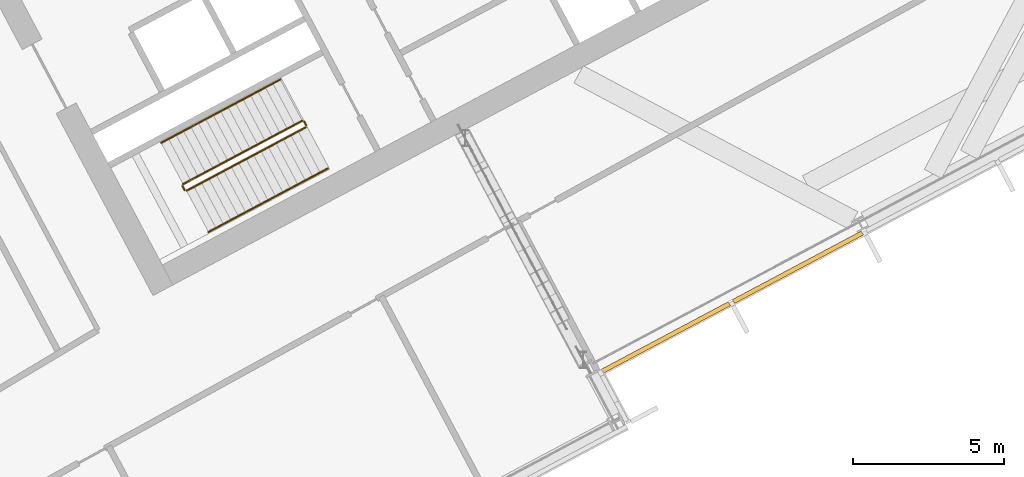
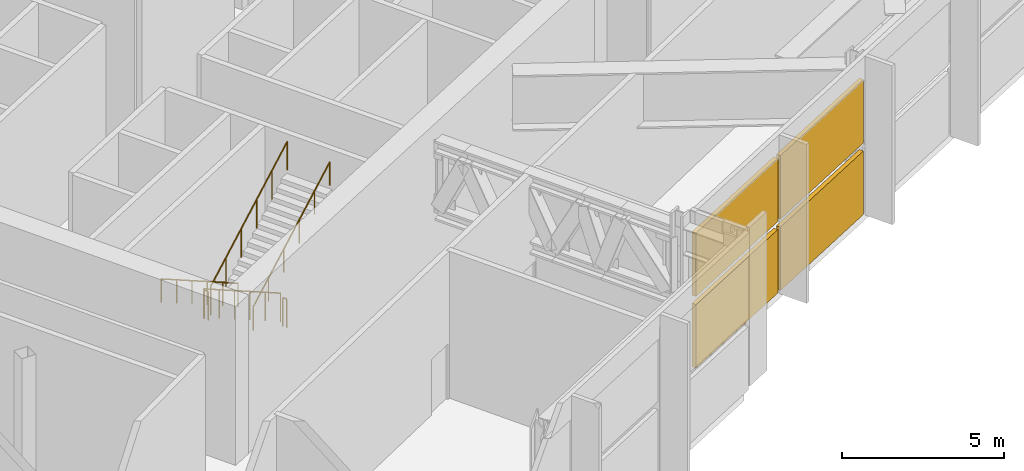
# One storey, part 29 of 33: 6 railings, 4 shading devices, 1 element without a shape of its own.
"""IFC4 building model written with IfcOpenShell, lengths in metres."""

from ifc_helpers import new_model, si_unit, direction, frame, origin, origin_2d, place, context, subcontext, project, spatial, polyline, rectangle, outline, extrude, material, layer, layer_set, type_object, element, aggregate, save


model = new_model("IFC4")

# Units and contexts
model_context = context("Model", 3, precision=1e-05, world=origin(), true_north=direction((0.0, 1.0)))
body_context = subcontext(model_context, "Body", "Model", "MODEL_VIEW")
ifc_project = project(units=[si_unit("LENGTHUNIT", "METRE"), si_unit("AREAUNIT", "SQUARE_METRE"), si_unit("VOLUMEUNIT", "CUBIC_METRE"), si_unit("PLANEANGLEUNIT", "RADIAN"), si_unit("MASSUNIT", "GRAM", prefix="KILO")], contexts=[model_context])

# Site, building, storey
site_placement = place(None, origin())
site = spatial("IfcSite", under=ifc_project, at=site_placement, CompositionType="ELEMENT")
building_placement = place(site_placement, origin())
building = spatial("IfcBuilding", under=site, at=building_placement, Name="Cormorant Relay Tower", CompositionType="ELEMENT")
storey_placement = place(building_placement, frame((0.0, 0.0, 183.60009765625)))
storey = spatial("IfcBuildingStorey", under=building, at=storey_placement, Name="L39", CompositionType="ELEMENT", Elevation=183.60009765625)

# Curtain wall, shading devices
ifc_material_1 = material(Name="Aluminium 6063-T6 anodised bronze", Category="aluminium")
ifc_layer = layer(ifc_material_1, 0.199951171875)
ifc_layer_set = layer_set([ifc_layer], Name="CW4 band louvre wall")
curtain_wall_type = type_object("IfcCurtainWallType", Name="CW4 band louvre wall", PredefinedType="NOTDEFINED", material=ifc_layer_set)
curtain_wall_placement = place(storey_placement, origin())
curtain_wall = element("IfcCurtainWall", 1, at=curtain_wall_placement, inside=storey, type_object=curtain_wall_type, Name="CW4 curtain wall 4", PredefinedType="NOTDEFINED")
ifc_material_2 = material(Name="Aluminium 6063-T6 anodised bronze louvre", Category="aluminium")
shading_device_type = type_object("IfcShadingDeviceType", Name="CW4 bronze louvre bank 150 x 2400", PredefinedType="USERDEFINED", material=ifc_material_2)
shading_device_1_placement = place(storey_placement, frame((35.918212890625, -2.505615234375, 2.699951171875), z_axis=(0.0, 0.0, 1.0), x_axis=(0.882947592859, 0.469471562786, 0.0)))
shading_device_1 = element("IfcShadingDevice", 2, at=shading_device_1_placement, type_object=shading_device_type, Name="CW4 louvre bank U4.1", ObjectType="LOUVRE", PredefinedType="USERDEFINED", context=body_context, shape_type="SweptSolid", body=[
    extrude(rectangle(XDim=4.77490234375, YDim=0.14990234375, at=origin_2d()), origin(), (0.0, 0.0, 1.0), 2.39990234375),
])
shading_device_2_placement = place(storey_placement, frame((35.918212890625, -2.505615234375, 0.0), z_axis=(0.0, 0.0, 1.0), x_axis=(0.882947592859, 0.469471562786, 0.0)))
shading_device_2 = element("IfcShadingDevice", 3, at=shading_device_2_placement, type_object=shading_device_type, Name="CW4 louvre bank D4.1", ObjectType="LOUVRE", PredefinedType="USERDEFINED", context=body_context, shape_type="SweptSolid", body=[
    extrude(rectangle(XDim=4.77490234375, YDim=0.14990234375, at=origin_2d()), origin(), (0.0, 0.0, 1.0), 2.39990234375),
])
shading_device_3_placement = place(storey_placement, frame((40.2998046875, -0.176025390625, 2.699951171875), z_axis=(0.0, 0.0, 1.0), x_axis=(0.882947592859, 0.469471562786, 0.0)))
shading_device_3 = element("IfcShadingDevice", 4, at=shading_device_3_placement, type_object=shading_device_type, Name="CW4 louvre bank U4.2", ObjectType="LOUVRE", PredefinedType="USERDEFINED", context=body_context, shape_type="SweptSolid", body=[
    extrude(rectangle(XDim=4.85009765625, YDim=0.14990234375, at=origin_2d()), origin(), (0.0, 0.0, 1.0), 2.39990234375),
])
shading_device_4_placement = place(storey_placement, frame((40.2998046875, -0.176025390625, 0.0), z_axis=(0.0, 0.0, 1.0), x_axis=(0.882947592859, 0.469471562786, 0.0)))
shading_device_4 = element("IfcShadingDevice", 5, at=shading_device_4_placement, type_object=shading_device_type, Name="CW4 louvre bank D4.2", ObjectType="LOUVRE", PredefinedType="USERDEFINED", context=body_context, shape_type="SweptSolid", body=[
    extrude(rectangle(XDim=4.85009765625, YDim=0.14990234375, at=origin_2d()), origin(), (0.0, 0.0, 1.0), 2.39990234375),
])
aggregate(curtain_wall, [shading_device_1, shading_device_2, shading_device_3, shading_device_4])

# Railings
ifc_material_3 = material(Name="Steel ASTM A572 Grade 50 (Fy 345 MPa)", Category="steel")
railing_type_1 = type_object("IfcRailingType", Name="Stair guard 1100", PredefinedType="GUARDRAIL", material=ifc_material_3)
railing_1_placement = place(storey_placement, frame((23.83837890625, 4.6904296875, 0.17626953125)))
element("IfcRailing", 6, at=railing_1_placement, inside=storey, type_object=railing_type_1, Name="L39 B1 stair guard 1", PredefinedType="GUARDRAIL", context=body_context, shape_type="SweptSolid", body=[
    extrude(outline(polyline([(0.022216796875, 0.00927734375), (0.00927734375, 0.022216796875), (-0.00927734375, 0.022216796875), (-0.022216796875, 0.00927734375), (-0.022216796875, -0.00927734375), (-0.00927734375, -0.022216796875), (0.00927734375, -0.022216796875), (0.022216796875, -0.00927734375), (0.022216796875, 0.00927734375)])), frame((0.0, 0.0, 1.076171875), z_axis=(-0.746948989206, -0.397171061721, 0.533218862434), x_axis=(0.469481920044, -0.882942085729, 0.0)), (0.0, 0.0, 1.0), 5.295654296875),
    extrude(outline(polyline([(0.019287109375, 0.008056640625), (0.008056640625, 0.019287109375), (-0.008056640625, 0.019287109375), (-0.019287109375, 0.008056640625), (-0.019287109375, -0.008056640625), (-0.008056640625, -0.019287109375), (0.008056640625, -0.019287109375), (0.019287109375, -0.008056640625), (0.019287109375, 0.008056640625)])), origin(), (0.0, 0.0, 1.0), 1.052001953125),
    extrude(outline(polyline([(0.019287109375, 0.008056640625), (0.008056640625, 0.019287109375), (-0.008056640625, 0.019287109375), (-0.019287109375, 0.008056640625), (-0.019287109375, -0.008056640625), (-0.008056640625, -0.019287109375), (0.008056640625, -0.019287109375), (0.019287109375, -0.008056640625), (0.019287109375, 0.008056640625)])), frame((-0.791015625, -0.420654296875, 0.564697265625)), (0.0, 0.0, 1.0), 1.052001953125),
    extrude(outline(polyline([(0.019287109375, 0.008056640625), (0.008056640625, 0.019287109375), (-0.008056640625, 0.019287109375), (-0.019287109375, 0.008056640625), (-0.019287109375, -0.008056640625), (-0.008056640625, -0.019287109375), (0.008056640625, -0.019287109375), (0.019287109375, -0.008056640625), (0.019287109375, 0.008056640625)])), frame((-1.582275390625, -0.84130859375, 1.12939453125)), (0.0, 0.0, 1.0), 1.052001953125),
    extrude(outline(polyline([(0.019287109375, 0.008056640625), (0.008056640625, 0.019287109375), (-0.008056640625, 0.019287109375), (-0.019287109375, 0.008056640625), (-0.019287109375, -0.008056640625), (-0.008056640625, -0.019287109375), (0.008056640625, -0.019287109375), (0.019287109375, -0.008056640625), (0.019287109375, 0.008056640625)])), frame((-2.373291015625, -1.261962890625, 1.6943359375)), (0.0, 0.0, 1.0), 1.052001953125),
    extrude(outline(polyline([(0.019287109375, 0.008056640625), (0.008056640625, 0.019287109375), (-0.008056640625, 0.019287109375), (-0.019287109375, 0.008056640625), (-0.019287109375, -0.008056640625), (-0.008056640625, -0.019287109375), (0.008056640625, -0.019287109375), (0.019287109375, -0.008056640625), (0.019287109375, 0.008056640625)])), frame((-3.16455078125, -1.6826171875, 2.259033203125)), (0.0, 0.0, 1.0), 1.052001953125),
    extrude(outline(polyline([(0.019287109375, 0.008056640625), (0.008056640625, 0.019287109375), (-0.008056640625, 0.019287109375), (-0.019287109375, 0.008056640625), (-0.019287109375, -0.008056640625), (-0.008056640625, -0.019287109375), (0.008056640625, -0.019287109375), (0.019287109375, -0.008056640625), (0.019287109375, 0.008056640625)])), frame((-3.95556640625, -2.103271484375, 2.82373046875)), (0.0, 0.0, 1.0), 1.052001953125),
])
railing_2_placement = place(storey_placement, frame((19.862060546875, 2.51953125, 3.0)))
element("IfcRailing", 7, at=railing_2_placement, inside=storey, type_object=railing_type_1, Name="L39 B1 stair guard 2", PredefinedType="GUARDRAIL", context=body_context, shape_type="SweptSolid", body=[
    extrude(outline(polyline([(0.022216796875, 0.00927734375), (0.00927734375, 0.022216796875), (-0.00927734375, 0.022216796875), (-0.022216796875, 0.00927734375), (-0.022216796875, -0.00927734375), (-0.00927734375, -0.022216796875), (0.00927734375, -0.022216796875), (0.022216796875, -0.00927734375), (0.022216796875, 0.00927734375)])), frame((0.0, 0.0, 1.076171875), z_axis=(0.469234640946, -0.883073525669, 0.0), x_axis=(0.883073525669, 0.469234640946, 0.0)), (0.0, 0.0, 1.0), 0.14990234375),
    extrude(outline(polyline([(0.019287109375, 0.008056640625), (0.008056640625, 0.019287109375), (-0.008056640625, 0.019287109375), (-0.019287109375, 0.008056640625), (-0.019287109375, -0.008056640625), (-0.008056640625, -0.019287109375), (0.008056640625, -0.019287109375), (0.019287109375, -0.008056640625), (0.019287109375, 0.008056640625)])), origin(), (0.0, 0.0, 1.0), 1.052001953125),
    extrude(outline(polyline([(0.019287109375, 0.008056640625), (0.008056640625, 0.019287109375), (-0.008056640625, 0.019287109375), (-0.019287109375, 0.008056640625), (-0.019287109375, -0.008056640625), (-0.008056640625, -0.019287109375), (0.008056640625, -0.019287109375), (0.019287109375, -0.008056640625), (0.019287109375, 0.008056640625)])), frame((0.0703125, -0.13232421875, 0.0)), (0.0, 0.0, 1.0), 1.052001953125),
])
railing_3_placement = place(storey_placement, frame((20.0, 2.366455078125, 3.17626953125)))
element("IfcRailing", 8, at=railing_3_placement, inside=storey, type_object=railing_type_1, Name="L39 B1 stair guard 3", PredefinedType="GUARDRAIL", context=body_context, shape_type="SweptSolid", body=[
    extrude(outline(polyline([(0.022216796875, 0.00927734375), (0.00927734375, 0.022216796875), (-0.00927734375, 0.022216796875), (-0.022216796875, 0.00927734375), (-0.022216796875, -0.00927734375), (-0.00927734375, -0.022216796875), (0.00927734375, -0.022216796875), (0.022216796875, -0.00927734375), (0.022216796875, 0.00927734375)])), frame((0.0, 0.0, 1.076171875), z_axis=(0.746948989206, 0.397171061721, 0.533218862434), x_axis=(-0.469481920044, 0.882942085729, 0.0)), (0.0, 0.0, 1.0), 5.295654296875),
    extrude(outline(polyline([(0.019287109375, 0.008056640625), (0.008056640625, 0.019287109375), (-0.008056640625, 0.019287109375), (-0.019287109375, 0.008056640625), (-0.019287109375, -0.008056640625), (-0.008056640625, -0.019287109375), (0.008056640625, -0.019287109375), (0.019287109375, -0.008056640625), (0.019287109375, 0.008056640625)])), origin(), (0.0, 0.0, 1.0), 1.052001953125),
    extrude(outline(polyline([(0.019287109375, 0.008056640625), (0.008056640625, 0.019287109375), (-0.008056640625, 0.019287109375), (-0.019287109375, 0.008056640625), (-0.019287109375, -0.008056640625), (-0.008056640625, -0.019287109375), (0.008056640625, -0.019287109375), (0.019287109375, -0.008056640625), (0.019287109375, 0.008056640625)])), frame((0.791015625, 0.420654296875, 0.564697265625)), (0.0, 0.0, 1.0), 1.052001953125),
    extrude(outline(polyline([(0.019287109375, 0.008056640625), (0.008056640625, 0.019287109375), (-0.008056640625, 0.019287109375), (-0.019287109375, 0.008056640625), (-0.019287109375, -0.008056640625), (-0.008056640625, -0.019287109375), (0.008056640625, -0.019287109375), (0.019287109375, -0.008056640625), (0.019287109375, 0.008056640625)])), frame((1.582275390625, 0.84130859375, 1.12939453125)), (0.0, 0.0, 1.0), 1.052001953125),
    extrude(outline(polyline([(0.019287109375, 0.008056640625), (0.008056640625, 0.019287109375), (-0.008056640625, 0.019287109375), (-0.019287109375, 0.008056640625), (-0.019287109375, -0.008056640625), (-0.008056640625, -0.019287109375), (0.008056640625, -0.019287109375), (0.019287109375, -0.008056640625), (0.019287109375, 0.008056640625)])), frame((2.373291015625, 1.261962890625, 1.6943359375)), (0.0, 0.0, 1.0), 1.052001953125),
    extrude(outline(polyline([(0.019287109375, 0.008056640625), (0.008056640625, 0.019287109375), (-0.008056640625, 0.019287109375), (-0.019287109375, 0.008056640625), (-0.019287109375, -0.008056640625), (-0.008056640625, -0.019287109375), (0.008056640625, -0.019287109375), (0.019287109375, -0.008056640625), (0.019287109375, 0.008056640625)])), frame((3.16455078125, 1.6826171875, 2.259033203125)), (0.0, 0.0, 1.0), 1.052001953125),
    extrude(outline(polyline([(0.019287109375, 0.008056640625), (0.008056640625, 0.019287109375), (-0.008056640625, 0.019287109375), (-0.019287109375, 0.008056640625), (-0.019287109375, -0.008056640625), (-0.008056640625, -0.019287109375), (0.008056640625, -0.019287109375), (0.019287109375, -0.008056640625), (0.019287109375, 0.008056640625)])), frame((3.95556640625, 2.103271484375, 2.82373046875)), (0.0, 0.0, 1.0), 1.052001953125),
])
railing_4_placement = place(storey_placement, frame((23.906005859375, 4.669677734375, 0.0)))
element("IfcRailing", 9, at=railing_4_placement, inside=storey, type_object=railing_type_1, Name="L39 B1 stair guard 4", PredefinedType="GUARDRAIL", context=body_context, shape_type="SweptSolid", body=[
    extrude(outline(polyline([(0.022216796875, 0.00927734375), (0.00927734375, 0.022216796875), (-0.00927734375, 0.022216796875), (-0.022216796875, 0.00927734375), (-0.022216796875, -0.00927734375), (-0.00927734375, -0.022216796875), (0.00927734375, -0.022216796875), (0.022216796875, -0.00927734375), (0.022216796875, 0.00927734375)])), frame((0.0, 0.0, 1.076171875), z_axis=(0.469234640946, -0.883073525669, 0.0), x_axis=(0.883073525669, 0.469234640946, 0.0)), (0.0, 0.0, 1.0), 0.14990234375),
    extrude(outline(polyline([(0.019287109375, 0.008056640625), (0.008056640625, 0.019287109375), (-0.008056640625, 0.019287109375), (-0.019287109375, 0.008056640625), (-0.019287109375, -0.008056640625), (-0.008056640625, -0.019287109375), (0.008056640625, -0.019287109375), (0.019287109375, -0.008056640625), (0.019287109375, 0.008056640625)])), origin(), (0.0, 0.0, 1.0), 1.052001953125),
    extrude(outline(polyline([(0.019287109375, 0.008056640625), (0.008056640625, 0.019287109375), (-0.008056640625, 0.019287109375), (-0.019287109375, 0.008056640625), (-0.019287109375, -0.008056640625), (-0.008056640625, -0.019287109375), (0.008056640625, -0.019287109375), (0.019287109375, -0.008056640625), (0.019287109375, 0.008056640625)])), frame((0.0703125, -0.13232421875, 0.0)), (0.0, 0.0, 1.0), 1.052001953125),
])
ifc_material_4 = material(Name="Steel ASTM A572 Grade 50 (Fy 345 MPa)", Category="steel")
railing_type_2 = type_object("IfcRailingType", Name="Stair handrail 900", PredefinedType="HANDRAIL", material=ifc_material_4)
railing_5_placement = place(storey_placement, frame((23.110595703125, 6.05908203125, 0.17626953125)))
element("IfcRailing", 10, at=railing_5_placement, inside=storey, type_object=railing_type_2, Name="L39 B1 stair handrail 1", PredefinedType="HANDRAIL", context=body_context, shape_type="SweptSolid", body=[
    extrude(outline(polyline([(0.022216796875, 0.00927734375), (0.00927734375, 0.022216796875), (-0.00927734375, 0.022216796875), (-0.022216796875, 0.00927734375), (-0.022216796875, -0.00927734375), (-0.00927734375, -0.022216796875), (0.00927734375, -0.022216796875), (0.022216796875, -0.00927734375), (0.022216796875, 0.00927734375)])), frame((0.0, 0.0, 0.8759765625), z_axis=(-0.746948989206, -0.397171061721, 0.533218862434), x_axis=(0.469481920044, -0.882942085729, 0.0)), (0.0, 0.0, 1.0), 5.295654296875),
    extrude(outline(polyline([(0.019287109375, 0.008056640625), (0.008056640625, 0.019287109375), (-0.008056640625, 0.019287109375), (-0.019287109375, 0.008056640625), (-0.019287109375, -0.008056640625), (-0.008056640625, -0.019287109375), (0.008056640625, -0.019287109375), (0.019287109375, -0.008056640625), (0.019287109375, 0.008056640625)])), origin(), (0.0, 0.0, 1.0), 0.851806640625),
    extrude(outline(polyline([(0.019287109375, 0.008056640625), (0.008056640625, 0.019287109375), (-0.008056640625, 0.019287109375), (-0.019287109375, 0.008056640625), (-0.019287109375, -0.008056640625), (-0.008056640625, -0.019287109375), (0.008056640625, -0.019287109375), (0.019287109375, -0.008056640625), (0.019287109375, 0.008056640625)])), frame((-0.791015625, -0.420654296875, 0.564697265625)), (0.0, 0.0, 1.0), 0.851806640625),
    extrude(outline(polyline([(0.019287109375, 0.008056640625), (0.008056640625, 0.019287109375), (-0.008056640625, 0.019287109375), (-0.019287109375, 0.008056640625), (-0.019287109375, -0.008056640625), (-0.008056640625, -0.019287109375), (0.008056640625, -0.019287109375), (0.019287109375, -0.008056640625), (0.019287109375, 0.008056640625)])), frame((-1.582275390625, -0.84130859375, 1.12939453125)), (0.0, 0.0, 1.0), 0.851806640625),
    extrude(outline(polyline([(0.019287109375, 0.008056640625), (0.008056640625, 0.019287109375), (-0.008056640625, 0.019287109375), (-0.019287109375, 0.008056640625), (-0.019287109375, -0.008056640625), (-0.008056640625, -0.019287109375), (0.008056640625, -0.019287109375), (0.019287109375, -0.008056640625), (0.019287109375, 0.008056640625)])), frame((-2.373291015625, -1.261962890625, 1.6943359375)), (0.0, 0.0, 1.0), 0.851806640625),
    extrude(outline(polyline([(0.019287109375, 0.008056640625), (0.008056640625, 0.019287109375), (-0.008056640625, 0.019287109375), (-0.019287109375, 0.008056640625), (-0.019287109375, -0.008056640625), (-0.008056640625, -0.019287109375), (0.008056640625, -0.019287109375), (0.019287109375, -0.008056640625), (0.019287109375, 0.008056640625)])), frame((-3.16455078125, -1.6826171875, 2.259033203125)), (0.0, 0.0, 1.0), 0.851806640625),
    extrude(outline(polyline([(0.019287109375, 0.008056640625), (0.008056640625, 0.019287109375), (-0.008056640625, 0.019287109375), (-0.019287109375, 0.008056640625), (-0.019287109375, -0.008056640625), (-0.008056640625, -0.019287109375), (0.008056640625, -0.019287109375), (0.019287109375, -0.008056640625), (0.019287109375, 0.008056640625)])), frame((-3.95556640625, -2.103271484375, 2.82373046875)), (0.0, 0.0, 1.0), 0.851806640625),
])
railing_6_placement = place(storey_placement, frame((20.727783203125, 0.997802734375, 3.17626953125)))
element("IfcRailing", 11, at=railing_6_placement, inside=storey, type_object=railing_type_2, Name="L39 B1 stair handrail 2", PredefinedType="HANDRAIL", context=body_context, shape_type="SweptSolid", body=[
    extrude(outline(polyline([(0.022216796875, 0.00927734375), (0.00927734375, 0.022216796875), (-0.00927734375, 0.022216796875), (-0.022216796875, 0.00927734375), (-0.022216796875, -0.00927734375), (-0.00927734375, -0.022216796875), (0.00927734375, -0.022216796875), (0.022216796875, -0.00927734375), (0.022216796875, 0.00927734375)])), frame((0.0, 0.0, 0.8759765625), z_axis=(0.746948989206, 0.397171061721, 0.533218862434), x_axis=(-0.469481920044, 0.882942085729, 0.0)), (0.0, 0.0, 1.0), 5.295654296875),
    extrude(outline(polyline([(0.019287109375, 0.008056640625), (0.008056640625, 0.019287109375), (-0.008056640625, 0.019287109375), (-0.019287109375, 0.008056640625), (-0.019287109375, -0.008056640625), (-0.008056640625, -0.019287109375), (0.008056640625, -0.019287109375), (0.019287109375, -0.008056640625), (0.019287109375, 0.008056640625)])), origin(), (0.0, 0.0, 1.0), 0.851806640625),
    extrude(outline(polyline([(0.019287109375, 0.008056640625), (0.008056640625, 0.019287109375), (-0.008056640625, 0.019287109375), (-0.019287109375, 0.008056640625), (-0.019287109375, -0.008056640625), (-0.008056640625, -0.019287109375), (0.008056640625, -0.019287109375), (0.019287109375, -0.008056640625), (0.019287109375, 0.008056640625)])), frame((0.791015625, 0.420654296875, 0.564697265625)), (0.0, 0.0, 1.0), 0.851806640625),
    extrude(outline(polyline([(0.019287109375, 0.008056640625), (0.008056640625, 0.019287109375), (-0.008056640625, 0.019287109375), (-0.019287109375, 0.008056640625), (-0.019287109375, -0.008056640625), (-0.008056640625, -0.019287109375), (0.008056640625, -0.019287109375), (0.019287109375, -0.008056640625), (0.019287109375, 0.008056640625)])), frame((1.582275390625, 0.84130859375, 1.12939453125)), (0.0, 0.0, 1.0), 0.851806640625),
    extrude(outline(polyline([(0.019287109375, 0.008056640625), (0.008056640625, 0.019287109375), (-0.008056640625, 0.019287109375), (-0.019287109375, 0.008056640625), (-0.019287109375, -0.008056640625), (-0.008056640625, -0.019287109375), (0.008056640625, -0.019287109375), (0.019287109375, -0.008056640625), (0.019287109375, 0.008056640625)])), frame((2.373291015625, 1.261962890625, 1.6943359375)), (0.0, 0.0, 1.0), 0.851806640625),
    extrude(outline(polyline([(0.019287109375, 0.008056640625), (0.008056640625, 0.019287109375), (-0.008056640625, 0.019287109375), (-0.019287109375, 0.008056640625), (-0.019287109375, -0.008056640625), (-0.008056640625, -0.019287109375), (0.008056640625, -0.019287109375), (0.019287109375, -0.008056640625), (0.019287109375, 0.008056640625)])), frame((3.16455078125, 1.6826171875, 2.259033203125)), (0.0, 0.0, 1.0), 0.851806640625),
    extrude(outline(polyline([(0.019287109375, 0.008056640625), (0.008056640625, 0.019287109375), (-0.008056640625, 0.019287109375), (-0.019287109375, 0.008056640625), (-0.019287109375, -0.008056640625), (-0.008056640625, -0.019287109375), (0.008056640625, -0.019287109375), (0.019287109375, -0.008056640625), (0.019287109375, 0.008056640625)])), frame((3.95556640625, 2.103271484375, 2.82373046875)), (0.0, 0.0, 1.0), 0.851806640625),
])

save(model, "model.ifc")
